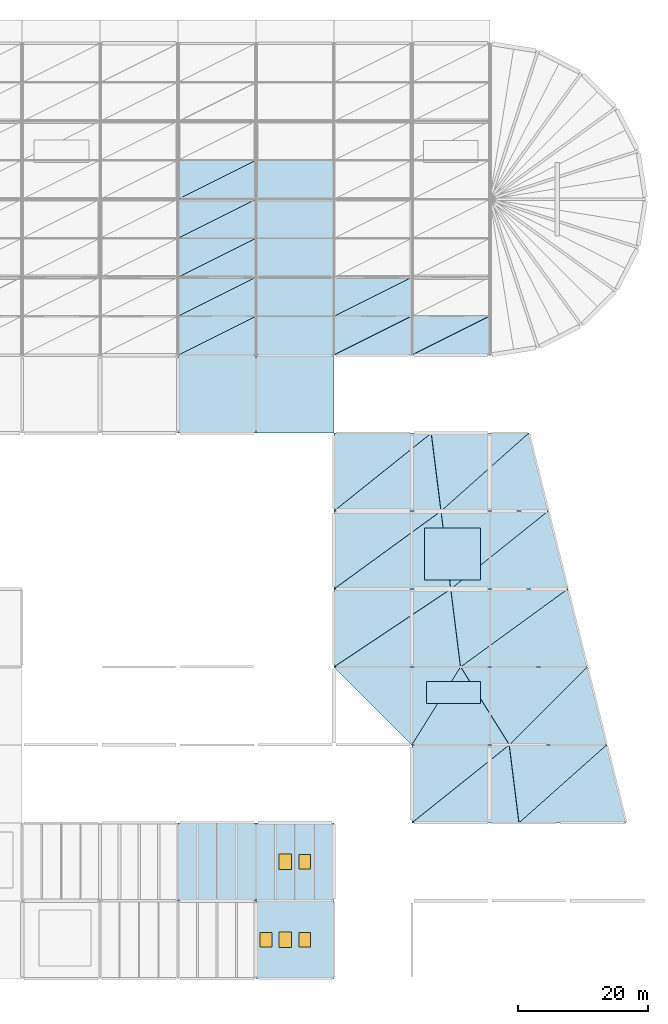
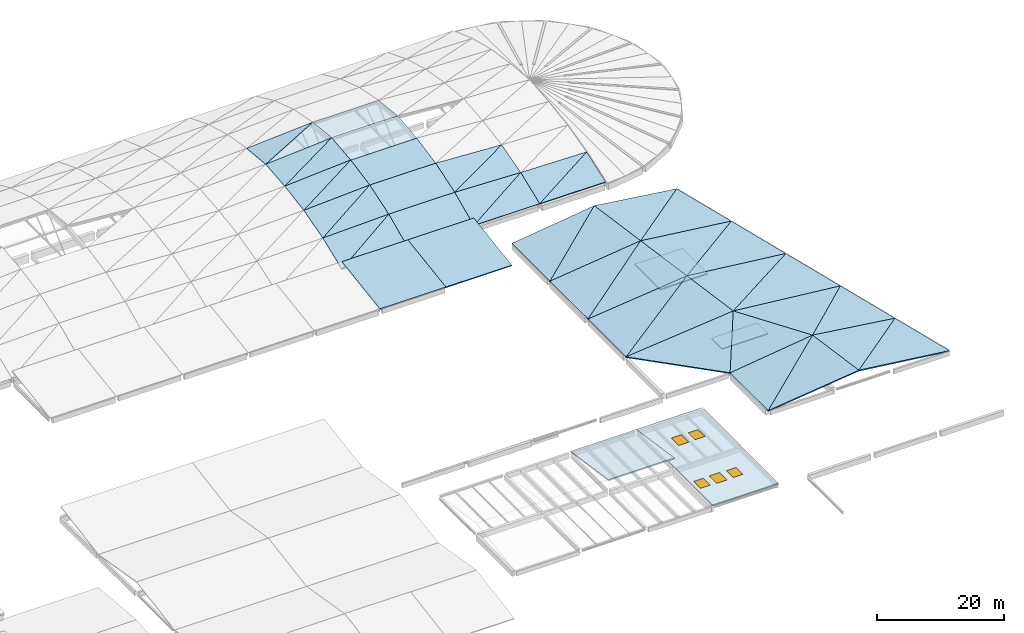
# One storey, part 20 of 23: 47 slabs, 5 windows, 5 openings, 3 elements without a shape of their own.
"""IFC4 building model written with IfcOpenShell, lengths in metres."""

import ifcopenshell
import ifcopenshell.guid

model = None  # the IFC model being written
_history = None  # IfcOwnerHistory: only IFC2X3 demands one
_inside = {}  # id of a spatial element -> (the spatial element, [elements in it])
_under = {}  # id of a project, library or spatial element -> (it, [spatial elements below it])
_declared = {}  # id of a project -> (the project, [libraries it declares])
_typed = {}  # id of a type object -> (the type object, [elements of that type])
_made_of = {}  # id of a material, layer set ... -> (it, [elements and type objects made of it])


def new_model(schema):
    """Start an empty IFC model of exactly this schema.

    Asked for "IFC4X3", IfcOpenShell would pick the latest addendum, in which some entities
    have other attributes; the version numbers below select the first issue.
    IFC2X3 requires an IfcOwnerHistory on every rooted entity: one is made here for all.
    """
    global model, _history
    if schema == "IFC4X3":
        model = ifcopenshell.file(schema_version=(4, 3, 0, 0))
    else:
        model = ifcopenshell.file(schema=schema)
    _inside.clear()
    _under.clear()
    _declared.clear()
    _typed.clear()
    _made_of.clear()
    _history = None
    if model.schema == "IFC2X3":
        org = make("IfcOrganization", Name="unknown")
        user = make(
            "IfcPersonAndOrganization",
            ThePerson=make("IfcPerson", FamilyName="unknown"),
            TheOrganization=org,
        )
        app = make(
            "IfcApplication",
            ApplicationDeveloper=org,
            Version="unknown",
            ApplicationFullName="unknown",
            ApplicationIdentifier="unknown",
        )
        _history = make(
            "IfcOwnerHistory",
            OwningUser=user,
            OwningApplication=app,
            ChangeAction="ADDED",
            CreationDate=0,
        )
    return model


def make(cls, **values):
    """One entity of the class cls with the attributes given. An attribute that is None is left unset."""
    return model.create_entity(
        cls, **{name: value for name, value in values.items() if value is not None}
    )


def rooted(cls, **values):
    """An entity with a GlobalId (a new one), such as an element, a storey or a relation."""
    return make(cls, GlobalId=ifcopenshell.guid.new(), OwnerHistory=_history, **values)


def si_unit(unit_type, name, prefix=None):
    """IfcSIUnit, for example si_unit("LENGTHUNIT", "METRE", prefix="MILLI")."""
    return make("IfcSIUnit", UnitType=unit_type, Prefix=prefix, Name=name)


def assignment(units):
    """IfcUnitAssignment: the units of a project."""
    return None if units is None else make("IfcUnitAssignment", Units=units)


def point(xyz):
    """IfcCartesianPoint."""
    return None if xyz is None else make("IfcCartesianPoint", Coordinates=xyz)


def direction(xyz):
    """IfcDirection."""
    return None if xyz is None else make("IfcDirection", DirectionRatios=xyz)


def frame(location, z_axis=None, x_axis=None):
    """IfcAxis2Placement3D, a coordinate frame: its origin and axes. An axis left out is left unset."""
    return make(
        "IfcAxis2Placement3D",
        Location=point(location),
        Axis=direction(z_axis),
        RefDirection=direction(x_axis),
    )


def frame_2d(location, x_axis=None):
    """IfcAxis2Placement2D, a coordinate frame in the plane: its origin and x axis."""
    return make(
        "IfcAxis2Placement2D", Location=point(location), RefDirection=direction(x_axis)
    )


def origin():
    """The frame at (0, 0, 0) with its axes left unset."""
    return frame((0.0, 0.0, 0.0))


def origin_2d():
    """The frame at (0, 0) in the plane with its x axis left unset."""
    return frame_2d((0.0, 0.0))


def place(relative_to, where):
    """IfcLocalPlacement: puts the frame where relative to a parent placement (None: the world)."""
    return make(
        "IfcLocalPlacement", PlacementRelTo=relative_to, RelativePlacement=where
    )


def context(
    kind, dimensions, precision=None, world=None, true_north=None, identifier=None
):
    """IfcGeometricRepresentationContext, for example the 3D "Model" context."""
    return make(
        "IfcGeometricRepresentationContext",
        ContextIdentifier=identifier,
        ContextType=kind,
        CoordinateSpaceDimension=dimensions,
        Precision=precision,
        WorldCoordinateSystem=world,
        TrueNorth=true_north,
    )


def subcontext(parent, identifier, kind, view, scale=None):
    """IfcGeometricRepresentationSubContext, for example "Body" below "Model"."""
    return make(
        "IfcGeometricRepresentationSubContext",
        ContextIdentifier=identifier,
        ContextType=kind,
        ParentContext=parent,
        TargetScale=scale,
        TargetView=view,
    )


def project(units=None, contexts=None):
    """IfcProject with its units and contexts."""
    return rooted(
        "IfcProject",
        Name="project",
        RepresentationContexts=contexts,
        UnitsInContext=assignment(units),
    )


def spatial(cls, under=None, at=None, **own):
    """A site, building, storey or space (cls), placed at a placement, below another one or the project."""
    s = rooted(cls, ObjectPlacement=at, **own)
    if under is not None:
        _under.setdefault(under.id(), (under, []))[1].append(s)
    return s


def polyline(points):
    """IfcPolyline through the points."""
    return make("IfcPolyline", Points=[point(p) for p in points])


def profile(cls, at=None, kind="AREA", **sizes):
    """A parametric profile (cls). Its sizes go by their IFC names, for example OverallWidth=200.0."""
    return make(cls, ProfileType=kind, Position=at, **sizes)


def rectangle(**sizes):
    """IfcRectangleProfileDef."""
    return profile("IfcRectangleProfileDef", **sizes)


def outline(outer, holes=None, kind="AREA"):
    """IfcArbitraryClosedProfileDef: a profile drawn as a closed curve; with holes, ...WithVoids."""
    if holes is None:
        return make("IfcArbitraryClosedProfileDef", ProfileType=kind, OuterCurve=outer)
    return make(
        "IfcArbitraryProfileDefWithVoids",
        ProfileType=kind,
        OuterCurve=outer,
        InnerCurves=holes,
    )


def extrude(swept, where, along, depth):
    """IfcExtrudedAreaSolid: the profile swept, set in the frame where, extruded along a direction by depth."""
    return make(
        "IfcExtrudedAreaSolid",
        SweptArea=swept,
        Position=where,
        ExtrudedDirection=direction(along),
        Depth=depth,
    )


def shape(context_of_items, identifier, shape_type, items):
    """IfcShapeRepresentation: the items that make up one representation, for example the "Body"."""
    return make(
        "IfcShapeRepresentation",
        ContextOfItems=context_of_items,
        RepresentationIdentifier=identifier,
        RepresentationType=shape_type,
        Items=items,
    )


def material(Name=None, Category=None):
    """IfcMaterial."""
    return make("IfcMaterial", Name=Name, Category=Category)


def layer(
    of_material, thickness, ventilated=None, Name=None, Category=None, Priority=None
):
    """IfcMaterialLayer: one layer of a wall or slab, of a material (None: an air gap)."""
    return make(
        "IfcMaterialLayer",
        Material=of_material,
        LayerThickness=thickness,
        IsVentilated=ventilated,
        Name=Name,
        Category=Category,
        Priority=Priority,
    )


def layer_set(layers, Name=None):
    """IfcMaterialLayerSet."""
    return make("IfcMaterialLayerSet", MaterialLayers=layers, LayerSetName=Name)


def made_of(thing, what):
    """Note that an element or type object is made of a material, layer set ...; save() writes the relation."""
    if what is not None:
        _made_of.setdefault(what.id(), (what, []))[1].append(thing)
    return thing


def type_object(cls, material=None, **own):
    """A type object (cls), such as IfcWallType, which elements share."""
    return made_of(rooted(cls, **own), material)


def element(
    cls,
    number,
    at=None,
    inside=None,
    cuts=None,
    type_object=None,
    material=None,
    context=None,
    identifier="Body",
    shape_type=None,
    held_by="IfcProductDefinitionShape",
    body=None,
    shapes=None,
    **own,
):
    """One element of the class cls, such as IfcWall. Its Tag is "e" and its number.

    at: its placement. inside: the storey or other place that contains it. cuts: it is an
    opening in that element (IfcRelVoidsElement). A single representation is given by context,
    identifier, shape_type and body (its items); several are given by shapes. held_by: the class
    of the entity that holds the representations. save() writes the other relations.
    """
    e = rooted(cls, Tag="e%d" % number, ObjectPlacement=at, **own)
    if body is not None:
        shapes = [shape(context, identifier, shape_type, body)]
    if shapes is not None:
        e.Representation = make(held_by, Representations=shapes)
    if inside is not None:
        _inside.setdefault(inside.id(), (inside, []))[1].append(e)
    if cuts is not None:
        rooted(
            "IfcRelVoidsElement", RelatingBuildingElement=cuts, RelatedOpeningElement=e
        )
    if type_object is not None:
        _typed.setdefault(type_object.id(), (type_object, []))[1].append(e)
    return made_of(e, material)


def fill(opening, filler):
    """IfcRelFillsElement: the door or window that sits in an opening."""
    return rooted(
        "IfcRelFillsElement",
        RelatingOpeningElement=opening,
        RelatedBuildingElement=filler,
    )


def aggregate(whole, parts):
    """IfcRelAggregates: a whole, such as a stair, and the parts it consists of."""
    return rooted("IfcRelAggregates", RelatingObject=whole, RelatedObjects=parts)


def save(model, path):
    """Write the relations noted so far, then the file.

    IfcRelAggregates (storeys below a building ...), IfcRelContainedInSpatialStructure (elements
    in a storey), IfcRelDefinesByType, IfcRelAssociatesMaterial and IfcRelDeclares: one each for
    every whole, place, type object, material and project.
    """
    for whole, parts in _under.values():
        aggregate(whole, parts)
    for where, things in _inside.values():
        rooted(
            "IfcRelContainedInSpatialStructure",
            RelatedElements=things,
            RelatingStructure=where,
        )
    for kind, things in _typed.values():
        rooted("IfcRelDefinesByType", RelatedObjects=things, RelatingType=kind)
    for what, things in _made_of.values():
        rooted("IfcRelAssociatesMaterial", RelatedObjects=things, RelatingMaterial=what)
    for by, libraries in _declared.values():
        rooted("IfcRelDeclares", RelatingContext=by, RelatedDefinitions=libraries)
    model.write(path)


model = new_model("IFC4")

# Units and contexts
model_context = context("Model", 3, precision=1e-05, world=origin(), true_north=direction((0.0, 1.0)))
body_context = subcontext(model_context, "Body", "Model", "MODEL_VIEW")
ifc_project = project(units=[si_unit("LENGTHUNIT", "METRE"), si_unit("AREAUNIT", "SQUARE_METRE"), si_unit("VOLUMEUNIT", "CUBIC_METRE"), si_unit("PLANEANGLEUNIT", "RADIAN"), si_unit("MASSUNIT", "GRAM", prefix="KILO")], contexts=[model_context])

# Site, building, storey
site_placement = place(None, origin())
site = spatial("IfcSite", under=ifc_project, at=site_placement, CompositionType="ELEMENT")
building_placement = place(site_placement, origin())
building = spatial("IfcBuilding", under=site, at=building_placement, Name="Kamomehara Wholesale Market", CompositionType="ELEMENT")
storey_placement = place(building_placement, frame((0.0, 0.0, 21.0)))
storey = spatial("IfcBuildingStorey", under=building, at=storey_placement, Name="RF", CompositionType="ELEMENT", Elevation=21.0)

# Roof, slabs
ifc_material_1 = material(Name="Concrete Fc36 (C35/45)", Category="concrete")
ifc_layer_1 = layer(ifc_material_1, 0.199951171875)
ifc_layer_set_1 = layer_set([ifc_layer_1], Name="Concrete Fc36 (C35/45)")
roof_type_1 = type_object("IfcRoofType", Name="ROOF-SYS-01", PredefinedType="BARREL_ROOF", material=ifc_layer_set_1)
roof_1_placement = place(storey_placement, origin())
roof_1 = element("IfcRoof", 1, at=roof_1_placement, inside=storey, type_object=roof_type_1, Name="V1 Wave-Barrel Concrete Shell Roof", PredefinedType="BARREL_ROOF")
ifc_material_2 = material(Name="Concrete Fc36 (C35/45)", Category="concrete")
ifc_layer_2 = layer(ifc_material_2, 0.179931640625)
ifc_layer_set_2 = layer_set([ifc_layer_2], Name="Concrete Fc36 (C35/45)")
slab_type_1 = type_object("IfcSlabType", Name="SLB-SHL-180", PredefinedType="ROOF", material=ifc_layer_set_2)
slab_1_placement = place(storey_placement, frame((156.0, 108.0, -8.64990234375), z_axis=(0.0, -0.366575165173, 0.930388439459), x_axis=(1.0, 0.0, 0.0)))
slab_1 = element("IfcSlab", 2, at=slab_1_placement, type_object=slab_type_1, Name="Concrete shell roof facet V1 113", PredefinedType="ROOF", context=body_context, shape_type="SweptSolid", body=[
    extrude(outline(polyline([(0.0, 0.0), (12.0, 0.0), (12.0, 6.448919338990984), (0.0, 0.0)])), origin(), (0.0, 0.0, -1.0), 0.179931640625),
])
slab_2_placement = place(storey_placement, frame((156.0, 108.0, -8.64990234375), z_axis=(0.029588357436, -0.417083104691, 0.908386598803), x_axis=(0.880857475286, 0.440428737643, 0.173529926212)))
slab_2 = element("IfcSlab", 3, at=slab_2_placement, type_object=slab_type_1, Name="Concrete shell roof facet V1 114", PredefinedType="ROOF", context=body_context, shape_type="SweptSolid", body=[
    extrude(outline(polyline([(0.0, 0.0), (13.623089247333438, -8.881784197001252e-16), (3.1206270370345552, 5.818166911178884), (0.0, 0.0)])), origin(), (0.0, 0.0, -1.0), 0.179931640625),
])
slab_3_placement = place(storey_placement, frame((156.0, 114.0, -5.89501953125), z_axis=(0.031339811588, -0.270685143436, 0.962157663448), x_axis=(0.999469940198, 0.0, -0.03255516305)))
slab_3 = element("IfcSlab", 4, at=slab_3_placement, type_object=slab_type_1, Name="Concrete shell roof facet V1 115", PredefinedType="ROOF", context=body_context, shape_type="SweptSolid", body=[
    extrude(outline(polyline([(0.0, 0.0), (12.006364090976625, 0.0), (11.951411357253257, 6.232678768771391), (0.0, 0.0)])), origin(), (0.0, 0.0, -1.0), 0.179931640625),
])
slab_4_placement = place(storey_placement, frame((156.0, 114.0, -5.89501953125), z_axis=(0.053048715313, -0.311226851628, 0.948853877386), x_axis=(0.890276020444, 0.445138010222, 0.09623283888)))
slab_4 = element("IfcSlab", 5, at=slab_4_placement, type_object=slab_type_1, Name="Concrete shell roof facet V1 116", PredefinedType="ROOF", context=body_context, shape_type="SweptSolid", body=[
    extrude(outline(polyline([(0.0, 0.0), (13.478965763921792, 5.551115123125783e-17), (2.8602159798390367, 5.629587705727872), (0.0, 0.0)])), origin(), (0.0, 0.0, -1.0), 0.179931640625),
])
ifc_material_3 = material(Name="Concrete Fc36 (C35/45)", Category="concrete")
ifc_layer_3 = layer(ifc_material_3, 0.195068359375)
ifc_layer_set_3 = layer_set([ifc_layer_3], Name="Concrete Fc36 (C35/45)")
slab_type_2 = type_object("IfcSlabType", Name="SLB-SHL-195", PredefinedType="ROOF", material=ifc_layer_set_3)
slab_5_placement = place(storey_placement, frame((168.0, 108.0, -8.64990234375), z_axis=(0.0, -0.333403982305, 0.942784060421), x_axis=(1.0, 0.0, 0.0)))
slab_5 = element("IfcSlab", 6, at=slab_5_placement, type_object=slab_type_2, Name="Concrete shell roof facet V1 129", PredefinedType="ROOF", context=body_context, shape_type="SweptSolid", body=[
    extrude(outline(polyline([(0.0, 0.0), (12.0, 0.0), (12.0, 6.364129657985742), (0.0, 0.0)])), origin(), (0.0, 0.0, -1.0), 0.195068359375),
])
slab_6_placement = place(storey_placement, frame((168.0, 108.0, -8.64990234375), z_axis=(0.01877406137, -0.366510556951, 0.930224460151), x_axis=(0.883447070008, 0.441723535004, 0.156210092884)))
slab_6 = element("IfcSlab", 7, at=slab_6_placement, type_object=slab_type_2, Name="Concrete shell roof facet V1 130", PredefinedType="ROOF", context=body_context, shape_type="SweptSolid", body=[
    extrude(outline(polyline([(0.0, 0.0), (13.583156713505653, -4.440892098500626e-16), (3.019624005285362, 5.698283207029668), (0.0, 0.0)])), origin(), (0.0, 0.0, -1.0), 0.195068359375),
])
slab_7_placement = place(storey_placement, frame((132.0, 96.0, -9.0), z_axis=(0.0, -0.148344388372, 0.988935762544), x_axis=(1.0, 0.0, 0.0)))
slab_7 = element("IfcSlab", 8, at=slab_7_placement, type_object=slab_type_2, Name="Buyer concourse shell roof 6", PredefinedType="ROOF", context=body_context, shape_type="SweptSolid", body=[
    extrude(outline(polyline([(0.0, 0.0), (12.0, 0.0), (12.0, 12.13425629297627), (0.0, 12.13425629297627), (0.0, 0.0)])), origin(), (0.0, 0.0, -1.0), 0.195068359375),
])
slab_8_placement = place(storey_placement, frame((144.0, 96.0, -9.0), z_axis=(0.0, -0.148344388372, 0.988935762544), x_axis=(1.0, 0.0, 0.0)))
slab_8 = element("IfcSlab", 9, at=slab_8_placement, type_object=slab_type_2, Name="Buyer concourse shell roof 7", PredefinedType="ROOF", context=body_context, shape_type="SweptSolid", body=[
    extrude(outline(polyline([(0.0, 0.0), (12.0, 0.0), (12.0, 12.13425629297627), (0.0, 12.13425629297627), (0.0, 0.0)])), origin(), (0.0, 0.0, -1.0), 0.195068359375),
])
ifc_material_4 = material(Name="Concrete Fc36 (C35/45)", Category="concrete")
ifc_layer_4 = layer(ifc_material_4, 0.2099609375)
ifc_layer_set_4 = layer_set([ifc_layer_4], Name="Concrete Fc36 (C35/45)")
slab_type_3 = type_object("IfcSlabType", Name="SLB-SHL-210", PredefinedType="ROOF", material=ifc_layer_set_4)
slab_9_placement = place(storey_placement, frame((132.0, 108.0, -8.64990234375), z_axis=(0.0, -0.417265796716, 0.908784493096), x_axis=(1.0, 0.0, 0.0)))
slab_9 = element("IfcSlab", 10, at=slab_9_placement, type_object=slab_type_3, Name="Concrete shell roof facet V1 89", PredefinedType="ROOF", context=body_context, shape_type="SweptSolid", body=[
    extrude(outline(polyline([(0.0, 0.0), (12.0, 0.0), (12.0, 6.602225330190413), (0.0, 0.0)])), origin(), (0.0, 0.0, -1.0), 0.2099609375),
])
slab_10_placement = place(storey_placement, frame((132.0, 108.0, -8.64990234375), z_axis=(-0.030291104428, -0.366406950871, 0.929961502077), x_axis=(0.876147291713, 0.438073645856, 0.201140259596)))
slab_10 = element("IfcSlab", 11, at=slab_10_placement, type_object=slab_type_3, Name="Concrete shell roof facet V1 90", PredefinedType="ROOF", context=body_context, shape_type="SweptSolid", body=[
    extrude(outline(polyline([(0.0, 0.0), (13.696327219755226, -4.440892098500626e-16), (3.103940198788797, 5.652797173360715), (0.0, 0.0)])), origin(), (0.0, 0.0, -1.0), 0.2099609375),
])
slab_11_placement = place(storey_placement, frame((132.0, 114.0, -6.285888671875), z_axis=(-0.030935241972, -0.311516534082, 0.949737047712), x_axis=(0.999469940198, 0.0, 0.03255516305)))
slab_11 = element("IfcSlab", 12, at=slab_11_placement, type_object=slab_type_3, Name="Concrete shell roof facet V1 91", PredefinedType="ROOF", context=body_context, shape_type="SweptSolid", body=[
    extrude(outline(polyline([(0.0, 0.0), (12.006364090976625, -1.3877787807814457e-17), (12.070433224118666, 6.314189443941908), (0.0, 0.0)])), origin(), (0.0, 0.0, -1.0), 0.2099609375),
])
slab_12_placement = place(storey_placement, frame((132.0, 114.0, -6.285888671875), z_axis=(-0.05374116883, -0.270426813168, 0.961239421524), x_axis=(0.880914944476, 0.440457472238, 0.173164880239)))
slab_12 = element("IfcSlab", 13, at=slab_12_placement, type_object=slab_type_3, Name="Concrete shell roof facet V1 92", PredefinedType="ROOF", context=body_context, shape_type="SweptSolid", body=[
    extrude(outline(polyline([(0.0, 0.0), (13.622200503292232, -6.661338147750939e-16), (2.93504512199651, 5.498619333021866), (0.0, 0.0)])), origin(), (0.0, 0.0, -1.0), 0.2099609375),
])
slab_13_placement = place(storey_placement, frame((132.0, 120.0, -4.597900390625), z_axis=(-0.054775148206, -0.192669789867, 0.979733655241), x_axis=(0.998440790708, 0.0, 0.055821030535)))
slab_13 = element("IfcSlab", 14, at=slab_13_placement, type_object=slab_type_3, Name="Concrete shell roof facet V1 93", PredefinedType="ROOF", context=body_context, shape_type="SweptSolid", body=[
    extrude(outline(polyline([(0.0, 0.0), (12.01873973066394, -2.7755575615628914e-17), (12.084604730804717, 6.114564618867352), (0.0, 0.0)])), origin(), (0.0, 0.0, -1.0), 0.2099609375),
])
slab_14_placement = place(storey_placement, frame((132.0, 120.0, -4.597900390625), z_axis=(-0.068687348331, -0.166074480319, 0.983718107572), x_axis=(0.886035871948, 0.443017935974, 0.136658486842)))
slab_14 = element("IfcSlab", 15, at=slab_14_placement, type_object=slab_type_3, Name="Concrete shell roof facet V1 94", PredefinedType="ROOF", context=body_context, shape_type="SweptSolid", body=[
    extrude(outline(polyline([(0.0, 0.0), (13.543469717103228, 8.326672684688674e-17), (2.7965343887714, 5.404205931320174), (0.0, 0.0)])), origin(), (0.0, 0.0, -1.0), 0.2099609375),
])
slab_15_placement = place(storey_placement, frame((132.0, 126.0, -3.5849609375), z_axis=(-0.069258696211, -0.106471119233, 0.991900768106), x_axis=(0.997571166828, 0.0, 0.069654627371)))
slab_15 = element("IfcSlab", 16, at=slab_15_placement, type_object=slab_type_3, Name="Concrete shell roof facet V1 95", PredefinedType="ROOF", context=body_context, shape_type="SweptSolid", body=[
    extrude(outline(polyline([(0.0, 0.0), (12.029216961193397, -1.3877787807814457e-17), (12.07407753419276, 6.0343001975860036), (0.0, 0.0)])), origin(), (0.0, 0.0, -1.0), 0.2099609375),
])
slab_16_placement = place(storey_placement, frame((132.0, 126.0, -3.5849609375), z_axis=(-0.073945504694, -0.09724782922, 0.992509406528), x_axis=(0.889020295126, 0.444510147563, 0.109789086739)))
slab_16 = element("IfcSlab", 17, at=slab_16_placement, type_object=slab_type_3, Name="Concrete shell roof facet V1 96", PredefinedType="ROOF", context=body_context, shape_type="SweptSolid", body=[
    extrude(outline(polyline([(0.0, 0.0), (13.498004562759817, -5.689893001203927e-16), (2.7316048602001257, 5.374379059453653), (0.0, 0.0)])), origin(), (0.0, 0.0, -1.0), 0.2099609375),
])
slab_17_placement = place(storey_placement, frame((132.0, 132.0, -2.9970703125), z_axis=(-0.073875619091, 0.106435763606, 0.99157138983), x_axis=(0.997236109241, 0.0, 0.074297660971)))
slab_17 = element("IfcSlab", 18, at=slab_17_placement, type_object=slab_type_3, Name="Concrete shell roof facet V1 97", PredefinedType="ROOF", context=body_context, shape_type="SweptSolid", body=[
    extrude(outline(polyline([(0.0, 0.0), (12.03325861227836, -1.3877787807814457e-17), (11.985407726135493, 6.0342772258400315), (0.0, 0.0)])), origin(), (0.0, 0.0, -1.0), 0.2099609375),
])
slab_18_placement = place(storey_placement, frame((132.0, 132.0, -2.9970703125), z_axis=(-0.069324257846, 0.097280193994, 0.992839720766), x_axis=(0.894271948928, 0.447135974464, 0.018630665603)))
slab_18 = element("IfcSlab", 19, at=slab_18_placement, type_object=slab_type_3, Name="Concrete shell roof facet V1 98", PredefinedType="ROOF", context=body_context, shape_type="SweptSolid", body=[
    extrude(outline(polyline([(0.0, 0.0), (13.418736900319645, -1.8735013540549517e-16), (2.6718630531384786, 5.404328192498715), (0.0, 0.0)])), origin(), (0.0, 0.0, -1.0), 0.2099609375),
])

ifc_material_5 = material(Name="Concrete Fc36 (C35/45)", Category="concrete")
ifc_layer_5 = layer(ifc_material_5, 0.199951171875)
ifc_layer_set_5 = layer_set([ifc_layer_5], Name="Concrete Fc36 (C35/45)")
roof_type_2 = type_object("IfcRoofType", Name="ROOF-SYS-02", PredefinedType="BARREL_ROOF", material=ifc_layer_set_5)
roof_2_placement = place(storey_placement, origin())
roof_2 = element("IfcRoof", 20, at=roof_2_placement, inside=storey, type_object=roof_type_2, Name="V2 Splayed Folded-Plate Concrete Roof", PredefinedType="BARREL_ROOF")
slab_19_placement = place(storey_placement, frame((168.0, 36.0, -4.800048828125), z_axis=(-0.120317757683, -0.01503971971, 0.992621500884), x_axis=(0.992733782034, 0.0, 0.120331367519)))
slab_19 = element("IfcSlab", 21, at=slab_19_placement, type_object=slab_type_3, Name="V2 folded-plate roof facet 1.1", PredefinedType="ROOF", context=body_context, shape_type="SweptSolid", body=[
    extrude(outline(polyline([(0.0, 0.0), (16.62077013859466, 0.0), (15.1316694655441, 12.001357389292279), (0.0, 0.0)])), origin(), (0.0, 0.0, -1.0), 0.2099609375),
])
slab_20_placement = place(storey_placement, frame((168.0, 36.0, -4.800048828125), z_axis=(-0.132163720091, 0.0, 0.991227900683), x_axis=(0.776670559618, 0.621336447694, 0.103556074616)))
slab_20 = element("IfcSlab", 22, at=slab_20_placement, type_object=slab_type_3, Name="V2 folded-plate roof facet 1.2", PredefinedType="ROOF", context=body_context, shape_type="SweptSolid", body=[
    extrude(outline(polyline([(0.0, 0.0), (19.313207915827967, -8.604228440844963e-16), (7.456037372330368, 9.402526612693679), (0.0, 0.0)])), origin(), (0.0, 0.0, -1.0), 0.2099609375),
])
slab_21_placement = place(storey_placement, frame((184.5, 36.0, -2.800048828125), z_axis=(0.120276955865, 0.030069238966, 0.992284885885), x_axis=(0.992733782034, 0.0, -0.120331367519)))
slab_21 = element("IfcSlab", 23, at=slab_21_placement, type_object=slab_type_3, Name="V2 folded-plate roof facet 1.3", PredefinedType="ROOF", context=body_context, shape_type="SweptSolid", body=[
    extrude(outline(polyline([(0.0, 0.0), (16.62077013859466, 6.938893903907228e-18), (13.642568792493536, 12.005428636332876), (0.0, 0.0)])), origin(), (0.0, 0.0, -1.0), 0.2099609375),
])
slab_22_placement = place(storey_placement, frame((184.5, 36.0, -2.800048828125), z_axis=(0.13214568834, 0.016518211042, 0.991092662548), x_axis=(0.742869204883, 0.660328182119, -0.11005469702)))
slab_22 = element("IfcSlab", 24, at=slab_22_placement, type_object=slab_type_3, Name="V2 folded-plate roof facet 1.4", PredefinedType="ROOF", context=body_context, shape_type="SweptSolid", body=[
    extrude(outline(polyline([(0.0, 0.0), (18.17278184538625, -3.3306690738754696e-16), (6.8096343780970425, 9.993942146952769), (0.0, 0.0)])), origin(), (0.0, 0.0, -1.0), 0.2099609375),
])
slab_23_placement = place(storey_placement, frame((168.0, 48.0, -4.800048828125), z_axis=(-0.131715128341, -0.082321955213, 0.987863462557), x_axis=(0.991227900683, 0.0, 0.132163720091)))
slab_23 = element("IfcSlab", 25, at=slab_23_placement, type_object=slab_type_3, Name="V2 folded-plate roof facet 2.1", PredefinedType="ROOF", context=body_context, shape_type="SweptSolid", body=[
    extrude(outline(polyline([(0.0, 0.0), (15.132745950421556, -2.7755575615628914e-17), (7.698536695301796, 12.040869268914586), (0.0, 0.0)])), origin(), (0.0, 0.0, -1.0), 0.2099609375),
])
slab_24_placement = place(storey_placement, frame((168.0, 48.0, -4.800048828125), z_axis=(-0.101501921418, -0.101501921418, 0.989643733824), x_axis=(0.524783571406, 0.83965371425, 0.139942285708)))
slab_24 = element("IfcSlab", 26, at=slab_24_placement, type_object=slab_type_3, Name="V2 folded-plate roof facet 2.2", PredefinedType="ROOF", context=body_context, shape_type="SweptSolid", body=[
    extrude(outline(polyline([(0.0, 0.0), (14.291605927956454, -8.743006318923108e-16), (3.778441714123126, 16.544587580625098), (0.0, 0.0)])), origin(), (0.0, 0.0, -1.0), 0.2099609375),
])
slab_25_placement = place(storey_placement, frame((183.0, 48.0, -2.800048828125), z_axis=(0.132091637337, 0.033022909334, 0.990687280026), x_axis=(0.991227900683, 0.0, -0.132163720091)))
slab_25 = element("IfcSlab", 27, at=slab_25_placement, type_object=slab_type_3, Name="V2 folded-plate roof facet 2.3", PredefinedType="ROOF", context=body_context, shape_type="SweptSolid", body=[
    extrude(outline(polyline([(0.0, 0.0), (15.132745950421556, 0.0), (12.159062248373653, 12.006548431592432), (0.0, 0.0)])), origin(), (0.0, 0.0, -1.0), 0.2099609375),
])
slab_26_placement = place(storey_placement, frame((183.0, 48.0, -2.800048828125), z_axis=(0.101822052813, 0.063638783008, 0.992765014925), x_axis=(0.702246883177, 0.702246883177, -0.117041147196)))
slab_26 = element("IfcSlab", 28, at=slab_26_placement, type_object=slab_type_3, Name="V2 folded-plate roof facet 2.4", PredefinedType="ROOF", context=body_context, shape_type="SweptSolid", body=[
    extrude(outline(polyline([(0.0, 0.0), (17.088007490635064, -6.38378239159465e-16), (3.1601109742955256, 13.793610790149803), (0.0, 0.0)])), origin(), (0.0, 0.0, -1.0), 0.2099609375),
])
slab_27_placement = place(storey_placement, frame((156.0, 60.0, -4.800048828125), z_axis=(-0.102020568783, -0.012752571098, 0.99470054563), x_axis=(0.994781438611, 0.0, 0.102028865499)))
slab_27 = element("IfcSlab", 29, at=slab_27_placement, type_object=slab_type_3, Name="V2 folded-plate roof facet 3.1", PredefinedType="ROOF", context=body_context, shape_type="SweptSolid", body=[
    extrude(outline(polyline([(0.0, 0.0), (19.60229578391266, 0.0), (18.11012362599608, 12.000975887449261), (0.0, 0.0)])), origin(), (0.0, 0.0, -1.0), 0.2099609375),
])
slab_28_placement = place(storey_placement, frame((156.0, 60.0, -4.800048828125), z_axis=(-0.110431526075, 0.0, 0.993883734674), x_axis=(0.828517156108, 0.552344770739, 0.09205746179)))
slab_28 = element("IfcSlab", 30, at=slab_28_placement, type_object=slab_type_3, Name="V2 folded-plate roof facet 3.2", PredefinedType="ROOF", context=body_context, shape_type="SweptSolid", body=[
    extrude(outline(polyline([(0.0, 0.0), (21.72556098240043, 1.1796119636642288e-15), (6.628137248867928, 10.00338925615561), (0.0, 0.0)])), origin(), (0.0, 0.0, -1.0), 0.2099609375),
])
slab_29_placement = place(storey_placement, frame((175.5, 60.0, -2.800048828125), z_axis=(0.101995690773, 0.025498922693, 0.994457985038), x_axis=(0.994781438611, 0.0, -0.102028865499)))
slab_29 = element("IfcSlab", 31, at=slab_29_placement, type_object=slab_type_3, Name="V2 folded-plate roof facet 3.3", PredefinedType="ROOF", context=body_context, shape_type="SweptSolid", body=[
    extrude(outline(polyline([(0.0, 0.0), (19.60229578391266, 0.0), (16.617951468079504, 12.003903073773726), (0.0, 0.0)])), origin(), (0.0, 0.0, -1.0), 0.2099609375),
])
slab_30_placement = place(storey_placement, frame((175.5, 60.0, -2.800048828125), z_axis=(0.110421006282, 0.013802625785, 0.993789056537), x_axis=(0.80487804878, 0.585365853659, -0.09756097561)))
slab_30 = element("IfcSlab", 32, at=slab_30_placement, type_object=slab_type_3, Name="V2 folded-plate roof facet 3.4", PredefinedType="ROOF", context=body_context, shape_type="SweptSolid", body=[
    extrude(outline(polyline([(0.0, 0.0), (20.5, 5.273559366969494e-16), (5.817073170731707, 10.602436499519975), (0.0, 0.0)])), origin(), (0.0, 0.0, -1.0), 0.2099609375),
])
slab_31_placement = place(storey_placement, frame((156.0, 72.0, -4.800048828125), z_axis=(-0.110421006282, -0.013802625785, 0.993789056537), x_axis=(0.993883734674, 0.0, 0.110431526075)))
slab_31 = element("IfcSlab", 33, at=slab_31_placement, type_object=slab_type_3, Name="V2 folded-plate roof facet 4.1", PredefinedType="ROOF", context=body_context, shape_type="SweptSolid", body=[
    extrude(outline(polyline([(0.0, 0.0), (18.11077027627483, 0.0), (16.619944674264403, 12.001143238224858), (0.0, 0.0)])), origin(), (0.0, 0.0, -1.0), 0.2099609375),
])
slab_32_placement = place(storey_placement, frame((156.0, 72.0, -4.800048828125), z_axis=(-0.120331367519, 0.0, 0.992733782034), x_axis=(0.80487804878, 0.585365853659, 0.09756097561)))
slab_32 = element("IfcSlab", 34, at=slab_32_placement, type_object=slab_type_3, Name="V2 folded-plate roof facet 4.2", PredefinedType="ROOF", context=body_context, shape_type="SweptSolid", body=[
    extrude(outline(polyline([(0.0, 0.0), (20.5, -8.604228440844963e-16), (7.024390243902438, 9.729231300640777), (0.0, 0.0)])), origin(), (0.0, 0.0, -1.0), 0.2099609375),
])
slab_33_placement = place(storey_placement, frame((174.0, 72.0, -2.800048828125), z_axis=(0.110389464932, 0.027597366233, 0.99350518439), x_axis=(0.993883734674, 0.0, -0.110431526075)))
slab_33 = element("IfcSlab", 35, at=slab_33_placement, type_object=slab_type_3, Name="V2 folded-plate roof facet 4.3", PredefinedType="ROOF", context=body_context, shape_type="SweptSolid", body=[
    extrude(outline(polyline([(0.0, 0.0), (18.11077027627483, 0.0), (15.129119072253978, 12.004572299651533), (0.0, 0.0)])), origin(), (0.0, 0.0, -1.0), 0.2099609375),
])
slab_34_placement = place(storey_placement, frame((174.0, 72.0, -2.800048828125), z_axis=(0.120317757683, 0.01503971971, 0.992621500884), x_axis=(0.776670559618, 0.621336447694, -0.103556074616)))
slab_34 = element("IfcSlab", 36, at=slab_34_placement, type_object=slab_type_3, Name="V2 folded-plate roof facet 4.4", PredefinedType="ROOF", context=body_context, shape_type="SweptSolid", body=[
    extrude(outline(polyline([(0.0, 0.0), (19.313207915827967, -1.8318679906315083e-15), (6.291031532903748, 10.3282584326696), (0.0, 0.0)])), origin(), (0.0, 0.0, -1.0), 0.2099609375),
])
slab_35_placement = place(storey_placement, frame((156.0, 84.0, -4.800048828125), z_axis=(-0.120317757683, -0.01503971971, 0.992621500884), x_axis=(0.992733782034, 0.0, 0.120331367519)))
slab_35 = element("IfcSlab", 37, at=slab_35_placement, type_object=slab_type_3, Name="V2 folded-plate roof facet 5.1", PredefinedType="ROOF", context=body_context, shape_type="SweptSolid", body=[
    extrude(outline(polyline([(0.0, 0.0), (16.62077013859466, 0.0), (15.1316694655441, 12.001357389292279), (0.0, 0.0)])), origin(), (0.0, 0.0, -1.0), 0.2099609375),
])
slab_36_placement = place(storey_placement, frame((156.0, 84.0, -4.800048828125), z_axis=(-0.132163720091, 0.0, 0.991227900683), x_axis=(0.776670559618, 0.621336447694, 0.103556074616)))
slab_36 = element("IfcSlab", 38, at=slab_36_placement, type_object=slab_type_3, Name="V2 folded-plate roof facet 5.2", PredefinedType="ROOF", context=body_context, shape_type="SweptSolid", body=[
    extrude(outline(polyline([(0.0, 0.0), (19.313207915827967, -8.604228440844963e-16), (7.456037372330368, 9.402526612693679), (0.0, 0.0)])), origin(), (0.0, 0.0, -1.0), 0.2099609375),
])
slab_37_placement = place(storey_placement, frame((172.5, 84.0, -2.800048828125), z_axis=(0.120276955865, 0.030069238966, 0.992284885885), x_axis=(0.992733782034, 0.0, -0.120331367519)))
slab_37 = element("IfcSlab", 39, at=slab_37_placement, type_object=slab_type_3, Name="V2 folded-plate roof facet 5.3", PredefinedType="ROOF", context=body_context, shape_type="SweptSolid", body=[
    extrude(outline(polyline([(0.0, 0.0), (16.62077013859466, 6.938893903907228e-18), (13.642568792493536, 12.005428636332876), (0.0, 0.0)])), origin(), (0.0, 0.0, -1.0), 0.2099609375),
])
slab_38_placement = place(storey_placement, frame((172.5, 84.0, -2.800048828125), z_axis=(0.13214568834, 0.016518211042, 0.991092662548), x_axis=(0.742869204883, 0.660328182119, -0.11005469702)))
slab_38 = element("IfcSlab", 40, at=slab_38_placement, type_object=slab_type_3, Name="V2 folded-plate roof facet 5.4", PredefinedType="ROOF", context=body_context, shape_type="SweptSolid", body=[
    extrude(outline(polyline([(0.0, 0.0), (18.17278184538625, -3.3306690738754696e-16), (6.8096343780970425, 9.993942146952769), (0.0, 0.0)])), origin(), (0.0, 0.0, -1.0), 0.2099609375),
])
aggregate(roof_2, [slab_19, slab_20, slab_21, slab_22, slab_23, slab_24, slab_25, slab_26, slab_27, slab_28, slab_29, slab_30, slab_31, slab_32, slab_33, slab_34, slab_35, slab_36, slab_37, slab_38])

# Roof, slabs, openings, windows
ifc_material_6 = material(Name="Concrete Fc36 (C35/45)", Category="concrete")
ifc_layer_6 = layer(ifc_material_6, 0.199951171875)
ifc_layer_set_6 = layer_set([ifc_layer_6], Name="Concrete Fc36 (C35/45)")
roof_type_3 = type_object("IfcRoofType", Name="ROOF-SYS-05", PredefinedType="GABLE_ROOF", material=ifc_layer_set_6)
roof_3_placement = place(storey_placement, origin())
roof_3 = element("IfcRoof", 41, at=roof_3_placement, inside=storey, type_object=roof_type_3, Name="V5 Boulevard Wing Roof", PredefinedType="GABLE_ROOF")
slab_39_placement = place(storey_placement, frame((132.0, 24.0, 1.800048828125), z_axis=(0.0, 0.148344388372, 0.988935762544), x_axis=(1.0, 0.0, 0.0)))
slab_39 = element("IfcSlab", 42, at=slab_39_placement, type_object=slab_type_3, Name="Boulevard pavilion north roof 3", PredefinedType="ROOF", context=body_context, shape_type="SweptSolid", body=[
    extrude(outline(polyline([(0.0, 0.0), (12.0, 0.0), (12.0, 12.13425629297627), (0.0, 12.13425629297627), (0.0, 0.0)])), origin(), (0.0, 0.0, -1.0), 0.2099609375),
])
slab_40_placement = place(storey_placement, frame((0.0, 0.0, -0.2099609375)))
slab_40 = element("IfcSlab", 43, at=slab_40_placement, type_object=slab_type_3, Name="Boulevard skylight roof slab", PredefinedType="ROOF", context=body_context, shape_type="SweptSolid", body=[
    extrude(outline(polyline([(144.0, 12.0), (156.0, 12.0), (156.0, 36.0), (144.0, 36.0), (144.0, 12.0)])), origin(), (0.0, 0.0, 1.0), 0.2099609375),
])
opening_1_placement = place(slab_40_placement, frame((145.550048828125, 18.0, 0.0)))
opening_1 = element("IfcOpeningElement", 44, at=opening_1_placement, cuts=slab_40, Name="Opening SK-01", PredefinedType="OPENING", context=body_context, shape_type="SweptSolid", body=[
    extrude(rectangle(XDim=1.800048828125, YDim=2.199951171875, at=origin_2d()), origin(), (0.0, 0.0, 1.0), 0.2099609375),
])
opening_2_placement = place(slab_40_placement, frame((148.5, 18.0, 0.0)))
opening_2 = element("IfcOpeningElement", 45, at=opening_2_placement, cuts=slab_40, Name="Opening SK-02", PredefinedType="OPENING", context=body_context, shape_type="SweptSolid", body=[
    extrude(rectangle(XDim=1.89990234375, YDim=2.39990234375, at=origin_2d()), origin(), (0.0, 0.0, 1.0), 0.2099609375),
])
opening_3_placement = place(slab_40_placement, frame((151.5, 18.0, 0.0)))
opening_3 = element("IfcOpeningElement", 46, at=opening_3_placement, cuts=slab_40, Name="Opening SK-03", PredefinedType="OPENING", context=body_context, shape_type="SweptSolid", body=[
    extrude(rectangle(XDim=1.800048828125, YDim=2.199951171875, at=origin_2d()), origin(), (0.0, 0.0, 1.0), 0.2099609375),
])
opening_4_placement = place(slab_40_placement, frame((148.5, 30.0, 0.0)))
opening_4 = element("IfcOpeningElement", 47, at=opening_4_placement, cuts=slab_40, Name="Opening SK-04", PredefinedType="OPENING", context=body_context, shape_type="SweptSolid", body=[
    extrude(rectangle(XDim=1.89990234375, YDim=2.39990234375, at=origin_2d()), origin(), (0.0, 0.0, 1.0), 0.2099609375),
])
opening_5_placement = place(slab_40_placement, frame((151.5, 30.0, 0.0)))
opening_5 = element("IfcOpeningElement", 48, at=opening_5_placement, cuts=slab_40, Name="Opening SK-05", PredefinedType="OPENING", context=body_context, shape_type="SweptSolid", body=[
    extrude(rectangle(XDim=1.800048828125, YDim=2.199951171875, at=origin_2d()), origin(), (0.0, 0.0, 1.0), 0.2099609375),
])
ifc_material_7 = material(Name="Solar-control Low-E double glazing", Category="glass")
window_type_1 = type_object("IfcWindowType", Name="SKY-1800x2200", PartitioningType="SINGLE_PANEL", PredefinedType="SKYLIGHT", material=ifc_material_7)
window_1_placement = place(opening_1_placement, frame((0.0, 0.0, 0.159912109375)))
window_1 = element("IfcWindow", 49, at=window_1_placement, inside=storey, type_object=window_type_1, Name="Roof skylight SK-01", OverallHeight=2.199951171875, OverallWidth=1.800048828125, PartitioningType="SINGLE_PANEL", PredefinedType="SKYLIGHT", context=body_context, shape_type="SweptSolid", body=[
    extrude(rectangle(XDim=1.800048828125, YDim=2.199951171875, at=origin_2d()), origin(), (0.0, 0.0, 1.0), 0.050048828125),
])
fill(opening_1, window_1)
window_2_placement = place(opening_3_placement, frame((0.0, 0.0, 0.159912109375)))
window_2 = element("IfcWindow", 50, at=window_2_placement, inside=storey, type_object=window_type_1, Name="Roof skylight SK-03", OverallHeight=2.199951171875, OverallWidth=1.800048828125, PartitioningType="SINGLE_PANEL", PredefinedType="SKYLIGHT", context=body_context, shape_type="SweptSolid", body=[
    extrude(rectangle(XDim=1.800048828125, YDim=2.199951171875, at=origin_2d()), origin(), (0.0, 0.0, 1.0), 0.050048828125),
])
fill(opening_3, window_2)
window_3_placement = place(opening_5_placement, frame((0.0, 0.0, 0.159912109375)))
window_3 = element("IfcWindow", 51, at=window_3_placement, inside=storey, type_object=window_type_1, Name="Roof skylight SK-05", OverallHeight=2.199951171875, OverallWidth=1.800048828125, PartitioningType="SINGLE_PANEL", PredefinedType="SKYLIGHT", context=body_context, shape_type="SweptSolid", body=[
    extrude(rectangle(XDim=1.800048828125, YDim=2.199951171875, at=origin_2d()), origin(), (0.0, 0.0, 1.0), 0.050048828125),
])
fill(opening_5, window_3)
ifc_material_8 = material(Name="Solar-control Low-E double glazing", Category="glass")
window_type_2 = type_object("IfcWindowType", Name="SKY-1900x2400", PartitioningType="SINGLE_PANEL", PredefinedType="SKYLIGHT", material=ifc_material_8)
window_4_placement = place(opening_2_placement, frame((0.0, 0.0, 0.159912109375)))
window_4 = element("IfcWindow", 52, at=window_4_placement, inside=storey, type_object=window_type_2, Name="Roof skylight SK-02", OverallHeight=2.39990234375, OverallWidth=1.89990234375, PartitioningType="SINGLE_PANEL", PredefinedType="SKYLIGHT", context=body_context, shape_type="SweptSolid", body=[
    extrude(rectangle(XDim=1.89990234375, YDim=2.39990234375, at=origin_2d()), origin(), (0.0, 0.0, 1.0), 0.050048828125),
])
fill(opening_2, window_4)
window_5_placement = place(opening_4_placement, frame((0.0, 0.0, 0.159912109375)))
window_5 = element("IfcWindow", 53, at=window_5_placement, inside=storey, type_object=window_type_2, Name="Roof skylight SK-04", OverallHeight=2.39990234375, OverallWidth=1.89990234375, PartitioningType="SINGLE_PANEL", PredefinedType="SKYLIGHT", context=body_context, shape_type="SweptSolid", body=[
    extrude(rectangle(XDim=1.89990234375, YDim=2.39990234375, at=origin_2d()), origin(), (0.0, 0.0, 1.0), 0.050048828125),
])
fill(opening_4, window_5)
aggregate(roof_3, [slab_39, slab_40])

# Slabs
slab_41_placement = place(storey_placement, frame((0.0, 0.0, -5.010009765625)))
element("IfcSlab", 54, at=slab_41_placement, inside=storey, type_object=slab_type_3, Name="Core overrun roof slab CORE-V2N", PredefinedType="ROOF", context=body_context, shape_type="SweptSolid", body=[
    extrude(outline(polyline([(169.929931640625, 73.39990234375), (178.60009765625, 73.39990234375), (178.60009765625, 81.419921875), (169.929931640625, 81.419921875), (169.929931640625, 73.39990234375)])), origin(), (0.0, 0.0, 1.0), 0.2099609375),
])
slab_42_placement = place(storey_placement, frame((0.0, 0.0, -5.010009765625)))
element("IfcSlab", 55, at=slab_42_placement, inside=storey, type_object=slab_type_3, Name="Stair enclosure roof slab ST-V2S", PredefinedType="ROOF", context=body_context, shape_type="SweptSolid", body=[
    extrude(outline(polyline([(170.219970703125, 54.3701171875), (178.60009765625, 54.3701171875), (178.60009765625, 57.760009765625), (170.219970703125, 57.760009765625), (170.219970703125, 54.3701171875)])), origin(), (0.0, 0.0, 1.0), 0.2099609375),
])

# Slab
ifc_material_9 = material(Name="Concrete Fc36 (C35/45)", Category="concrete")
ifc_layer_7 = layer(ifc_material_9, 0.22509765625)
ifc_layer_set_7 = layer_set([ifc_layer_7], Name="Concrete Fc36 (C35/45)")
slab_type_4 = type_object("IfcSlabType", Name="SLB-SHL-225", PredefinedType="ROOF", material=ifc_layer_set_7)
slab_43_placement = place(storey_placement, frame((144.0, 108.0, -8.64990234375), z_axis=(0.0, -0.417265796716, 0.908784493096), x_axis=(1.0, 0.0, 0.0)))
slab_43 = element("IfcSlab", 56, at=slab_43_placement, type_object=slab_type_4, Name="Concrete shell roof strip V1 105", PredefinedType="ROOF", context=body_context, shape_type="SweptSolid", body=[
    extrude(outline(polyline([(0.0, 0.0), (12.0, 0.0), (12.0, 6.602225330190413), (0.0, 6.602225330190413), (0.0, 0.0)])), origin(), (0.0, 0.0, -1.0), 0.22509765625),
])

slab_44_placement = place(storey_placement, frame((144.0, 114.0, -5.89501953125), z_axis=(0.0, -0.311665700132, 0.950191818193), x_axis=(1.0, 0.0, 0.0)))
slab_44 = element("IfcSlab", 57, at=slab_44_placement, type_object=slab_type_4, Name="Concrete shell roof strip V1 106", PredefinedType="ROOF", context=body_context, shape_type="SweptSolid", body=[
    extrude(outline(polyline([(0.0, 0.0), (12.0, 0.0), (12.0, 6.3145144855173925), (0.0, 6.3145144855173925), (0.0, 0.0)])), origin(), (0.0, 0.0, -1.0), 0.22509765625),
])

slab_45_placement = place(storey_placement, frame((144.0, 120.0, -3.927001953125), z_axis=(0.0, -0.192959477105, 0.981206726534), x_axis=(1.0, 0.0, 0.0)))
slab_45 = element("IfcSlab", 58, at=slab_45_placement, type_object=slab_type_4, Name="Concrete shell roof strip V1 107", PredefinedType="ROOF", context=body_context, shape_type="SweptSolid", body=[
    extrude(outline(polyline([(0.0, 0.0), (12.0, 0.0), (12.0, 6.114919351598024), (0.0, 6.114919351598024), (0.0, 0.0)])), origin(), (0.0, 0.0, -1.0), 0.22509765625),
])

slab_46_placement = place(storey_placement, frame((144.0, 126.0, -2.7470703125), z_axis=(0.0, -0.106727400168, 0.994288319379), x_axis=(1.0, 0.0, 0.0)))
slab_46 = element("IfcSlab", 59, at=slab_46_placement, type_object=slab_type_4, Name="Concrete shell roof strip V1 108", PredefinedType="ROOF", context=body_context, shape_type="SweptSolid", body=[
    extrude(outline(polyline([(0.0, 0.0), (12.0, 0.0), (12.0, 6.034466947924756), (0.0, 6.034466947924756), (0.0, 0.0)])), origin(), (0.0, 0.0, -1.0), 0.22509765625),
])

slab_47_placement = place(storey_placement, frame((144.0, 132.0, -2.10302734375), z_axis=(0.0, 0.106727400168, 0.994288319379), x_axis=(1.0, 0.0, 0.0)))
slab_47 = element("IfcSlab", 60, at=slab_47_placement, type_object=slab_type_4, Name="Concrete shell roof strip V1 109", PredefinedType="ROOF", context=body_context, shape_type="SweptSolid", body=[
    extrude(outline(polyline([(0.0, 0.0), (12.0, 0.0), (12.0, 6.034466947924756), (0.0, 6.034466947924756), (0.0, 0.0)])), origin(), (0.0, 0.0, -1.0), 0.22509765625),
])

aggregate(roof_1, [slab_9, slab_10, slab_11, slab_12, slab_13, slab_14, slab_15, slab_16, slab_17, slab_18, slab_43, slab_44, slab_45, slab_46, slab_47, slab_1, slab_2, slab_3, slab_4, slab_5, slab_6, slab_7, slab_8])

save(model, "model.ifc")
